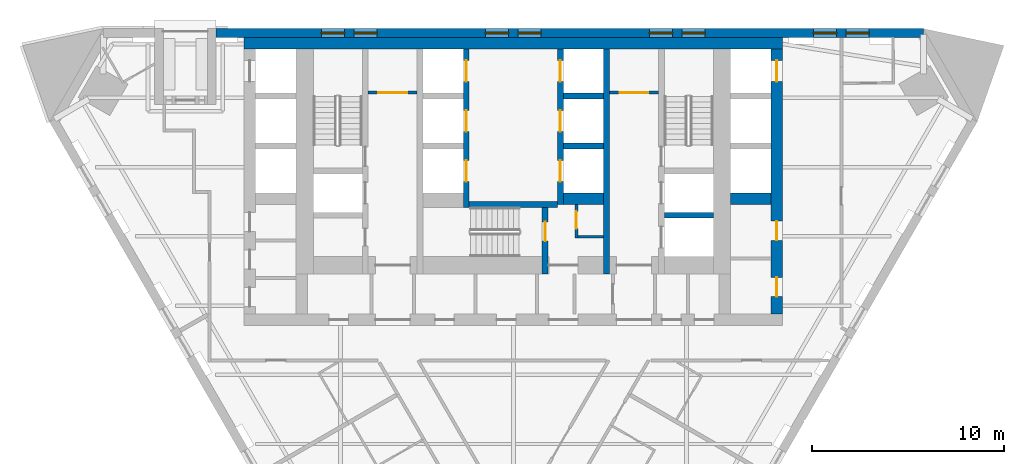
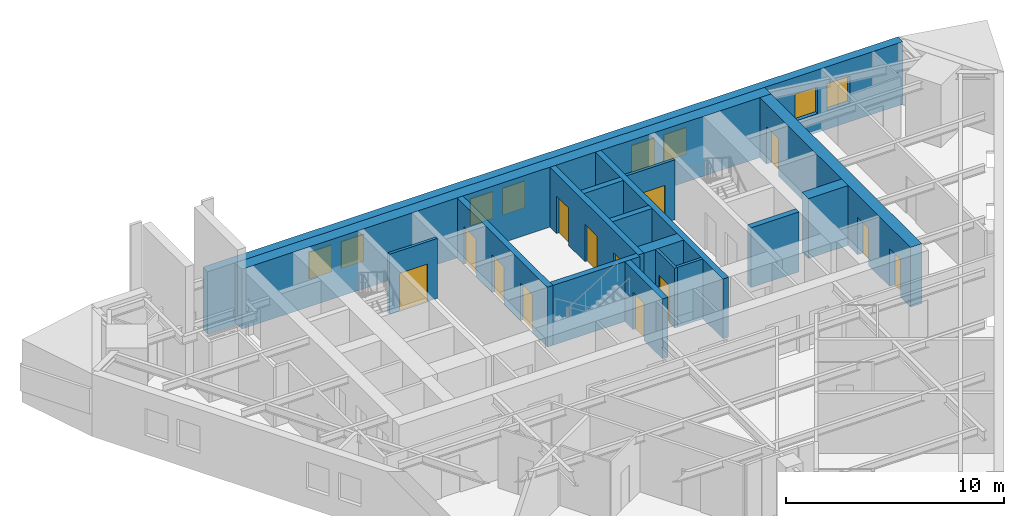
# One storey, part 6 of 9: 17 walls, 13 doors, 8 windows, 21 openings.
"""IFC4 building model written with IfcOpenShell, lengths in metres."""

from ifc_helpers import new_model, si_unit, direction, frame, frame_2d, origin, place, context, subcontext, project, spatial, polyline, rectangle, outline, extrude, material, layer, layer_set, type_object, element, fill, save


model = new_model("IFC4")

# Units and contexts
model_context = context("Model", 3, precision=1e-05, world=origin(), true_north=direction((0.0, 1.0)))
body_context = subcontext(model_context, "Body", "Model", "MODEL_VIEW")
ifc_project = project(units=[si_unit("LENGTHUNIT", "METRE"), si_unit("AREAUNIT", "SQUARE_METRE"), si_unit("VOLUMEUNIT", "CUBIC_METRE"), si_unit("PLANEANGLEUNIT", "RADIAN"), si_unit("MASSUNIT", "GRAM", prefix="KILO")], contexts=[model_context])

# Site, building, storey
site_placement = place(None, origin())
site = spatial("IfcSite", under=ifc_project, at=site_placement, CompositionType="ELEMENT")
building_placement = place(site_placement, origin())
building = spatial("IfcBuilding", under=site, at=building_placement, Name="Aloe Facet Convention Tower", CompositionType="ELEMENT")
storey_placement = place(building_placement, frame((0.0, 0.0, 92.300048828125)))
storey = spatial("IfcBuildingStorey", under=building, at=storey_placement, Name="L22", CompositionType="ELEMENT", Elevation=92.300048828125)

# Wall, opening, door
ifc_material_1 = material(Name="Concrete blockwork partition", Category="masonry")
ifc_layer_1 = layer(ifc_material_1, 0.14990234375)
ifc_layer_set_1 = layer_set([ifc_layer_1], Name="CR-W-PART150")
wall_type_1 = type_object("IfcWallType", Name="CR-W-PART150", PredefinedType="PARTITIONING", material=ifc_layer_set_1)
wall_1_placement = place(storey_placement, frame((72.449951171875, 131.675048828125, 0.0), z_axis=(0.0, 0.0, 1.0), x_axis=(1.0, 0.0, 0.0)))
wall_1 = element("IfcWall", 1, at=wall_1_placement, inside=storey, type_object=wall_type_1, Name="Core partition L22-015", PredefinedType="PARTITIONING", context=body_context, shape_type="SweptSolid", body=[
    extrude(rectangle(XDim=2.550048828125, YDim=0.14990234375, at=frame_2d((1.27490234375, 0.0))), origin(), (0.0, 0.0, 1.0), 3.349853515625),
])
opening_1_placement = place(wall_1_placement, frame((0.52490234375, 0.0, 0.0)))
opening_1 = element("IfcOpeningElement", 2, at=opening_1_placement, cuts=wall_1, Name="Opening L22-CD21", PredefinedType="OPENING", context=body_context, shape_type="SweptSolid", body=[
    extrude(rectangle(XDim=1.5, YDim=2.10009765625, at=frame_2d((0.75, 1.050048828125))), frame((0.0, 0.0849609375, 0.0), z_axis=(0.0, -1.0, 0.0), x_axis=(1.0, 0.0, 0.0)), (0.0, 0.0, 1.0), 0.169921875),
])
ifc_material_2 = material(Name="Steel fire-resisting door set FD60", Category="steel")
door_type_1 = type_object("IfcDoorType", Name="CR-D-REFUGE-1500-FD60-DD", OperationType="DOUBLE_DOOR_DOUBLE_SWING", PredefinedType="DOOR", material=ifc_material_2)
door_1_placement = place(opening_1_placement, origin())
door_1 = element("IfcDoor", 3, at=door_1_placement, inside=storey, type_object=door_type_1, Name="Core door L22-CD21", OperationType="DOUBLE_DOOR_DOUBLE_SWING", OverallHeight=2.10009765625, OverallWidth=1.5, PredefinedType="DOOR", context=body_context, shape_type="SweptSolid", body=[
    extrude(rectangle(XDim=1.5, YDim=2.10009765625, at=frame_2d((0.75, 1.050048828125))), frame((0.0, 0.02490234375, 0.0), z_axis=(0.0, -1.0, 0.0), x_axis=(1.0, 0.0, 0.0)), (0.0, 0.0, 1.0), 0.050048828125),
])
fill(opening_1, door_1)

wall_2_placement = place(storey_placement, frame((83.27490234375, 125.85009765625, 0.0), z_axis=(0.0, 0.0, 1.0), x_axis=(0.0, -1.0, 0.0)))
wall_2 = element("IfcWall", 4, at=wall_2_placement, inside=storey, type_object=wall_type_1, Name="Core partition L22-035", PredefinedType="PARTITIONING", context=body_context, shape_type="SweptSolid", body=[
    extrude(rectangle(XDim=1.75, YDim=0.14990234375, at=frame_2d((0.875, 0.0))), origin(), (0.0, 0.0, 1.0), 3.349853515625),
])
opening_2_placement = place(wall_2_placement, frame((0.35009765625, 0.0, 0.0)))
opening_2 = element("IfcOpeningElement", 5, at=opening_2_placement, cuts=wall_2, Name="Opening L22-CD19", PredefinedType="OPENING", context=body_context, shape_type="SweptSolid", body=[
    extrude(rectangle(XDim=0.89990234375, YDim=2.10009765625, at=frame_2d((0.449951171875, 1.050048828125))), frame((0.0, 0.0849609375, 0.0), z_axis=(0.0, -1.0, 0.0), x_axis=(1.0, 0.0, 0.0)), (0.0, 0.0, 1.0), 0.169921875),
])
ifc_material_3 = material(Name="Steel fire-resisting door set FD60", Category="steel")
door_type_2 = type_object("IfcDoorType", Name="CR-D-REFUGE-900-FD60-SRIGHT", OperationType="SINGLE_SWING_RIGHT", PredefinedType="DOOR", material=ifc_material_3)
door_2_placement = place(opening_2_placement, origin())
door_2 = element("IfcDoor", 6, at=door_2_placement, inside=storey, type_object=door_type_2, Name="Core door L22-CD19", OperationType="SINGLE_SWING_RIGHT", OverallHeight=2.10009765625, OverallWidth=0.89990234375, PredefinedType="DOOR", context=body_context, shape_type="SweptSolid", body=[
    extrude(rectangle(XDim=0.89990234375, YDim=2.10009765625, at=frame_2d((0.449951171875, 1.050048828125))), frame((0.0, 0.02490234375, 0.0), z_axis=(0.0, -1.0, 0.0), x_axis=(1.0, 0.0, 0.0)), (0.0, 0.0, 1.0), 0.050048828125),
])
fill(opening_2, door_2)

# Wall
wall_3_placement = place(storey_placement, frame((83.35009765625, 124.175048828125, 0.0), z_axis=(0.0, 0.0, 1.0), x_axis=(1.0, 0.0, 0.0)))
element("IfcWall", 7, at=wall_3_placement, inside=storey, type_object=wall_type_1, Name="Core partition L22-036", PredefinedType="PARTITIONING", context=body_context, shape_type="SweptSolid", body=[
    extrude(rectangle(XDim=1.349853515625, YDim=0.14990234375, at=frame_2d((0.6748046875, 0.0))), origin(), (0.0, 0.0, 1.0), 3.349853515625),
])

# Wall, opening, door
wall_4_placement = place(storey_placement, frame((85.0, 131.675048828125, 0.0), z_axis=(0.0, 0.0, 1.0), x_axis=(1.0, 0.0, 0.0)))
wall_4 = element("IfcWall", 8, at=wall_4_placement, inside=storey, type_object=wall_type_1, Name="Core partition L22-038", PredefinedType="PARTITIONING", context=body_context, shape_type="SweptSolid", body=[
    extrude(rectangle(XDim=2.550048828125, YDim=0.14990234375, at=frame_2d((1.27490234375, 0.0))), origin(), (0.0, 0.0, 1.0), 3.349853515625),
])
opening_3_placement = place(wall_4_placement, frame((0.52490234375, 0.0, 0.0)))
opening_3 = element("IfcOpeningElement", 9, at=opening_3_placement, cuts=wall_4, Name="Opening L22-CD20", PredefinedType="OPENING", context=body_context, shape_type="SweptSolid", body=[
    extrude(rectangle(XDim=1.5, YDim=2.10009765625, at=frame_2d((0.75, 1.050048828125))), frame((0.0, 0.0849609375, 0.0), z_axis=(0.0, -1.0, 0.0), x_axis=(1.0, 0.0, 0.0)), (0.0, 0.0, 1.0), 0.169921875),
])
door_3_placement = place(opening_3_placement, origin())
door_3 = element("IfcDoor", 10, at=door_3_placement, inside=storey, type_object=door_type_1, Name="Core door L22-CD20", OperationType="DOUBLE_DOOR_DOUBLE_SWING", OverallHeight=2.10009765625, OverallWidth=1.5, PredefinedType="DOOR", context=body_context, shape_type="SweptSolid", body=[
    extrude(rectangle(XDim=1.5, YDim=2.10009765625, at=frame_2d((0.75, 1.050048828125))), frame((0.0, 0.02490234375, 0.0), z_axis=(0.0, -1.0, 0.0), x_axis=(1.0, 0.0, 0.0)), (0.0, 0.0, 1.0), 0.050048828125),
])
fill(opening_3, door_3)

# Wall, openings, doors
ifc_material_4 = material(Name="Concrete C70/85", Category="concrete")
ifc_layer_2 = layer(ifc_material_4, 0.300048828125)
ifc_layer_set_2 = layer_set([ifc_layer_2], Name="CR-W-RC300-C7085")
wall_type_2 = type_object("IfcWallType", Name="CR-W-RC300-C7085", PredefinedType="SOLIDWALL", material=ifc_layer_set_2)
wall_5_placement = place(storey_placement, frame((77.550048828125, 133.949951171875, 0.0), z_axis=(0.0, 0.0, 1.0), x_axis=(0.0, -1.0, 0.0)))
wall_5 = element("IfcWall", 11, at=wall_5_placement, inside=storey, type_object=wall_type_2, Name="Core wall L22-024", PredefinedType="SOLIDWALL", context=body_context, shape_type="SweptSolid", body=[
    extrude(rectangle(XDim=8.25, YDim=0.300048828125, at=frame_2d((4.125, 0.0))), origin(), (0.0, 0.0, 1.0), 3.349853515625),
])
opening_4_placement = place(wall_5_placement, frame((0.60009765625, 0.0, 0.0)))
opening_4 = element("IfcOpeningElement", 12, at=opening_4_placement, cuts=wall_5, Name="Opening LD-A1-L22", PredefinedType="OPENING", context=body_context, shape_type="SweptSolid", body=[
    extrude(rectangle(XDim=1.10009765625, YDim=2.10009765625, at=frame_2d((0.550048828125, 1.050048828125))), frame((0.0, 0.16015625, 0.0), z_axis=(0.0, -1.0, 0.0), x_axis=(1.0, 0.0, 0.0)), (0.0, 0.0, 1.0), 0.320068359375),
])
opening_5_placement = place(wall_5_placement, frame((3.199951171875, 0.0, 0.0)))
opening_5 = element("IfcOpeningElement", 13, at=opening_5_placement, cuts=wall_5, Name="Opening LD-A2-L22", PredefinedType="OPENING", context=body_context, shape_type="SweptSolid", body=[
    extrude(rectangle(XDim=1.10009765625, YDim=2.10009765625, at=frame_2d((0.550048828125, 1.050048828125))), frame((0.0, 0.16015625, 0.0), z_axis=(0.0, -1.0, 0.0), x_axis=(1.0, 0.0, 0.0)), (0.0, 0.0, 1.0), 0.320068359375),
])
opening_6_placement = place(wall_5_placement, frame((5.800048828125, 0.0, 0.0)))
opening_6 = element("IfcOpeningElement", 14, at=opening_6_placement, cuts=wall_5, Name="Opening LD-A3-L22", PredefinedType="OPENING", context=body_context, shape_type="SweptSolid", body=[
    extrude(rectangle(XDim=1.10009765625, YDim=2.10009765625, at=frame_2d((0.550048828125, 1.050048828125))), frame((0.0, 0.16015625, 0.0), z_axis=(0.0, -1.0, 0.0), x_axis=(1.0, 0.0, 0.0)), (0.0, 0.0, 1.0), 0.320068359375),
])
ifc_material_5 = material(Name="Stainless steel sliding landing door", Category="steel")
door_type_3 = type_object("IfcDoorType", Name="CR-LD-1100-FD60-RIGHT", OperationType="SLIDING_TO_RIGHT", PredefinedType="DOOR", material=ifc_material_5)
door_4_placement = place(opening_4_placement, origin())
door_4 = element("IfcDoor", 15, at=door_4_placement, inside=storey, type_object=door_type_3, Name="Landing door A1 L22", OperationType="SLIDING_TO_RIGHT", OverallHeight=2.10009765625, OverallWidth=1.10009765625, PredefinedType="DOOR", context=body_context, shape_type="SweptSolid", body=[
    extrude(rectangle(XDim=1.10009765625, YDim=2.10009765625, at=frame_2d((0.550048828125, 1.050048828125))), frame((0.0, 0.02490234375, 0.0), z_axis=(0.0, -1.0, 0.0), x_axis=(1.0, 0.0, 0.0)), (0.0, 0.0, 1.0), 0.050048828125),
])
fill(opening_4, door_4)
door_5_placement = place(opening_5_placement, origin())
door_5 = element("IfcDoor", 16, at=door_5_placement, inside=storey, type_object=door_type_3, Name="Landing door A2 L22", OperationType="SLIDING_TO_RIGHT", OverallHeight=2.10009765625, OverallWidth=1.10009765625, PredefinedType="DOOR", context=body_context, shape_type="SweptSolid", body=[
    extrude(rectangle(XDim=1.10009765625, YDim=2.10009765625, at=frame_2d((0.550048828125, 1.050048828125))), frame((0.0, 0.02490234375, 0.0), z_axis=(0.0, -1.0, 0.0), x_axis=(1.0, 0.0, 0.0)), (0.0, 0.0, 1.0), 0.050048828125),
])
fill(opening_5, door_5)
door_6_placement = place(opening_6_placement, origin())
door_6 = element("IfcDoor", 17, at=door_6_placement, inside=storey, type_object=door_type_3, Name="Landing door A3 L22", OperationType="SLIDING_TO_RIGHT", OverallHeight=2.10009765625, OverallWidth=1.10009765625, PredefinedType="DOOR", context=body_context, shape_type="SweptSolid", body=[
    extrude(rectangle(XDim=1.10009765625, YDim=2.10009765625, at=frame_2d((0.550048828125, 1.050048828125))), frame((0.0, 0.02490234375, 0.0), z_axis=(0.0, -1.0, 0.0), x_axis=(1.0, 0.0, 0.0)), (0.0, 0.0, 1.0), 0.050048828125),
])
fill(opening_6, door_6)

# Wall
wall_6_placement = place(storey_placement, frame((77.699951171875, 125.85009765625, 0.0), z_axis=(0.0, 0.0, 1.0), x_axis=(1.0, 0.0, 0.0)))
element("IfcWall", 18, at=wall_6_placement, inside=storey, type_object=wall_type_2, Name="Core wall L22-025", PredefinedType="SOLIDWALL", context=body_context, shape_type="SweptSolid", body=[
    extrude(rectangle(XDim=4.60009765625, YDim=0.300048828125, at=frame_2d((2.300048828125, 0.0))), origin(), (0.0, 0.0, 1.0), 3.349853515625),
])

# Wall, opening, door
wall_7_placement = place(storey_placement, frame((81.64990234375, 125.699951171875, 0.0), z_axis=(0.0, 0.0, 1.0), x_axis=(0.0, -1.0, 0.0)))
wall_7 = element("IfcWall", 19, at=wall_7_placement, inside=storey, type_object=wall_type_2, Name="Core wall L22-028", PredefinedType="SOLIDWALL", context=body_context, shape_type="SweptSolid", body=[
    extrude(rectangle(XDim=3.449951171875, YDim=0.300048828125, at=frame_2d((1.72509765625, 0.0))), origin(), (0.0, 0.0, 1.0), 3.349853515625),
])
opening_7_placement = place(wall_7_placement, frame((0.75, 0.0, 0.0)))
opening_7 = element("IfcOpeningElement", 20, at=opening_7_placement, cuts=wall_7, Name="Opening L22-CD31", PredefinedType="OPENING", context=body_context, shape_type="SweptSolid", body=[
    extrude(rectangle(XDim=1.0, YDim=2.10009765625, at=frame_2d((0.5, 1.050048828125))), frame((0.0, 0.16015625, 0.0), z_axis=(0.0, -1.0, 0.0), x_axis=(1.0, 0.0, 0.0)), (0.0, 0.0, 1.0), 0.320068359375),
])
ifc_material_6 = material(Name="Steel fire-resisting door set FD120", Category="steel")
door_type_4 = type_object("IfcDoorType", Name="CR-D-STAIR-1000-FD120-SLEFT", OperationType="SINGLE_SWING_LEFT", PredefinedType="DOOR", material=ifc_material_6)
door_7_placement = place(opening_7_placement, origin())
door_7 = element("IfcDoor", 21, at=door_7_placement, inside=storey, type_object=door_type_4, Name="Core door L22-CD31", OperationType="SINGLE_SWING_LEFT", OverallHeight=2.10009765625, OverallWidth=1.0, PredefinedType="DOOR", context=body_context, shape_type="SweptSolid", body=[
    extrude(rectangle(XDim=1.0, YDim=2.10009765625, at=frame_2d((0.5, 1.050048828125))), frame((0.0, 0.02490234375, 0.0), z_axis=(0.0, -1.0, 0.0), x_axis=(1.0, 0.0, 0.0)), (0.0, 0.0, 1.0), 0.050048828125),
])
fill(opening_7, door_7)

# Wall, openings, doors
wall_8_placement = place(storey_placement, frame((82.449951171875, 133.949951171875, 0.0), z_axis=(0.0, 0.0, 1.0), x_axis=(0.0, -1.0, 0.0)))
wall_8 = element("IfcWall", 22, at=wall_8_placement, inside=storey, type_object=wall_type_2, Name="Core wall L22-030", PredefinedType="SOLIDWALL", context=body_context, shape_type="SweptSolid", body=[
    extrude(rectangle(XDim=8.099853515625, YDim=0.300048828125, at=frame_2d((4.0498046875, 0.0))), origin(), (0.0, 0.0, 1.0), 3.349853515625),
])
opening_8_placement = place(wall_8_placement, frame((0.60009765625, 0.0, 0.0)))
opening_8 = element("IfcOpeningElement", 23, at=opening_8_placement, cuts=wall_8, Name="Opening LD-A4-L22", PredefinedType="OPENING", context=body_context, shape_type="SweptSolid", body=[
    extrude(rectangle(XDim=1.10009765625, YDim=2.10009765625, at=frame_2d((0.550048828125, 1.050048828125))), frame((0.0, 0.16015625, 0.0), z_axis=(0.0, -1.0, 0.0), x_axis=(1.0, 0.0, 0.0)), (0.0, 0.0, 1.0), 0.320068359375),
])
opening_9_placement = place(wall_8_placement, frame((3.199951171875, 0.0, 0.0)))
opening_9 = element("IfcOpeningElement", 24, at=opening_9_placement, cuts=wall_8, Name="Opening LD-A5-L22", PredefinedType="OPENING", context=body_context, shape_type="SweptSolid", body=[
    extrude(rectangle(XDim=1.10009765625, YDim=2.10009765625, at=frame_2d((0.550048828125, 1.050048828125))), frame((0.0, 0.16015625, 0.0), z_axis=(0.0, -1.0, 0.0), x_axis=(1.0, 0.0, 0.0)), (0.0, 0.0, 1.0), 0.320068359375),
])
opening_10_placement = place(wall_8_placement, frame((5.800048828125, 0.0, 0.0)))
opening_10 = element("IfcOpeningElement", 25, at=opening_10_placement, cuts=wall_8, Name="Opening LD-A6-L22", PredefinedType="OPENING", context=body_context, shape_type="SweptSolid", body=[
    extrude(rectangle(XDim=1.10009765625, YDim=2.10009765625, at=frame_2d((0.550048828125, 1.050048828125))), frame((0.0, 0.16015625, 0.0), z_axis=(0.0, -1.0, 0.0), x_axis=(1.0, 0.0, 0.0)), (0.0, 0.0, 1.0), 0.320068359375),
])
ifc_material_7 = material(Name="Stainless steel sliding landing door", Category="steel")
door_type_5 = type_object("IfcDoorType", Name="CR-LD-1100-FD60-_LEFT", OperationType="SLIDING_TO_LEFT", PredefinedType="DOOR", material=ifc_material_7)
door_8_placement = place(opening_8_placement, origin())
door_8 = element("IfcDoor", 26, at=door_8_placement, inside=storey, type_object=door_type_5, Name="Landing door A4 L22", OperationType="SLIDING_TO_LEFT", OverallHeight=2.10009765625, OverallWidth=1.10009765625, PredefinedType="DOOR", context=body_context, shape_type="SweptSolid", body=[
    extrude(rectangle(XDim=1.10009765625, YDim=2.10009765625, at=frame_2d((0.550048828125, 1.050048828125))), frame((0.0, 0.02490234375, 0.0), z_axis=(0.0, -1.0, 0.0), x_axis=(1.0, 0.0, 0.0)), (0.0, 0.0, 1.0), 0.050048828125),
])
fill(opening_8, door_8)
door_9_placement = place(opening_9_placement, origin())
door_9 = element("IfcDoor", 27, at=door_9_placement, inside=storey, type_object=door_type_5, Name="Landing door A5 L22", OperationType="SLIDING_TO_LEFT", OverallHeight=2.10009765625, OverallWidth=1.10009765625, PredefinedType="DOOR", context=body_context, shape_type="SweptSolid", body=[
    extrude(rectangle(XDim=1.10009765625, YDim=2.10009765625, at=frame_2d((0.550048828125, 1.050048828125))), frame((0.0, 0.02490234375, 0.0), z_axis=(0.0, -1.0, 0.0), x_axis=(1.0, 0.0, 0.0)), (0.0, 0.0, 1.0), 0.050048828125),
])
fill(opening_9, door_9)
door_10_placement = place(opening_10_placement, origin())
door_10 = element("IfcDoor", 28, at=door_10_placement, inside=storey, type_object=door_type_5, Name="Landing door A6 L22", OperationType="SLIDING_TO_LEFT", OverallHeight=2.10009765625, OverallWidth=1.10009765625, PredefinedType="DOOR", context=body_context, shape_type="SweptSolid", body=[
    extrude(rectangle(XDim=1.10009765625, YDim=2.10009765625, at=frame_2d((0.550048828125, 1.050048828125))), frame((0.0, 0.02490234375, 0.0), z_axis=(0.0, -1.0, 0.0), x_axis=(1.0, 0.0, 0.0)), (0.0, 0.0, 1.0), 0.050048828125),
])
fill(opening_10, door_10)

# Walls
for number, where, z_axis, x_axis, name in (
    (29, (82.60009765625, 131.5, 0.0), (0.0, 0.0, 1.0), (1.0, 0.0, 0.0), "Core wall L22-031"),
    (30, (82.60009765625, 128.89990234375, 0.0), (0.0, 0.0, 1.0), (1.0, 0.0, 0.0), "Core wall L22-032"),
):
    element("IfcWall", number, at=place(storey_placement, frame(where, z_axis=z_axis, x_axis=x_axis)), inside=storey, type_object=wall_type_2, Name=name, PredefinedType="SOLIDWALL", context=body_context, shape_type="SweptSolid", body=[
        extrude(rectangle(XDim=2.099853515625, YDim=0.300048828125, at=frame_2d((1.0498046875, 0.0))), origin(), (0.0, 0.0, 1.0), 3.349853515625),
    ])
wall_9_placement = place(storey_placement, frame((84.85009765625, 133.949951171875, 0.0), z_axis=(0.0, 0.0, 1.0), x_axis=(0.0, -1.0, 0.0)))
element("IfcWall", 31, at=wall_9_placement, inside=storey, type_object=wall_type_2, Name="Core wall L22-037", PredefinedType="SOLIDWALL", context=body_context, shape_type="SweptSolid", body=[
    extrude(rectangle(XDim=11.699951171875, YDim=0.300048828125, at=frame_2d((5.85009765625, 0.0))), origin(), (0.0, 0.0, 1.0), 3.349853515625),
])
wall_10_placement = place(storey_placement, frame((87.85009765625, 125.300048828125, 0.0), z_axis=(0.0, 0.0, 1.0), x_axis=(1.0, 0.0, 0.0)))
element("IfcWall", 32, at=wall_10_placement, inside=storey, type_object=wall_type_2, Name="Core wall L22-044", PredefinedType="SOLIDWALL", context=body_context, shape_type="SweptSolid", body=[
    extrude(rectangle(XDim=2.5498046875, YDim=0.300048828125, at=frame_2d((1.27490234375, 0.0))), origin(), (0.0, 0.0, 1.0), 3.349853515625),
])
ifc_material_8 = material(Name="Concrete C70/85", Category="concrete")
ifc_layer_3 = layer(ifc_material_8, 0.60009765625)
ifc_layer_set_3 = layer_set([ifc_layer_3], Name="CR-W-RC600-C7085")
wall_type_3 = type_object("IfcWallType", Name="CR-W-RC600-C7085", PredefinedType="SOLIDWALL", material=ifc_layer_set_3)
wall_11_placement = place(storey_placement, frame((66.0, 134.25, 0.0), z_axis=(0.0, 0.0, 1.0), x_axis=(1.0, 0.0, 0.0)))
element("IfcWall", 33, at=wall_11_placement, inside=storey, type_object=wall_type_3, Name="Core wall L22-001", PredefinedType="SOLIDWALL", context=body_context, shape_type="SweptSolid", body=[
    extrude(rectangle(XDim=28.0, YDim=0.60009765625, at=frame_2d((14.0, 0.0))), origin(), (0.0, 0.0, 1.0), 3.349853515625),
])
for number, where, z_axis, x_axis, name in (
    (34, (82.60009765625, 126.14990234375, 0.0), (0.0, 0.0, 1.0), (1.0, 0.0, 0.0), "Core wall L22-033"),
    (35, (91.300048828125, 126.14990234375, 0.0), (0.0, 0.0, 1.0), (1.0, 0.0, 0.0), "Core wall L22-051"),
):
    element("IfcWall", number, at=place(storey_placement, frame(where, z_axis=z_axis, x_axis=x_axis)), inside=storey, type_object=wall_type_3, Name=name, PredefinedType="SOLIDWALL", context=body_context, shape_type="SweptSolid", body=[
        extrude(rectangle(XDim=2.099853515625, YDim=0.60009765625, at=frame_2d((1.0498046875, 0.0))), origin(), (0.0, 0.0, 1.0), 3.349853515625),
    ])

# Wall, openings, doors
wall_12_placement = place(storey_placement, frame((93.699951171875, 133.949951171875, 0.0), z_axis=(0.0, 0.0, 1.0), x_axis=(0.0, -1.0, 0.0)))
wall_12 = element("IfcWall", 36, at=wall_12_placement, inside=storey, type_object=wall_type_3, Name="Core wall L22-053", PredefinedType="SOLIDWALL", context=body_context, shape_type="SweptSolid", body=[
    extrude(rectangle(XDim=13.800048828125, YDim=0.60009765625, at=frame_2d((6.89990234375, 0.0))), origin(), (0.0, 0.0, 1.0), 3.349853515625),
])
opening_11_placement = place(wall_12_placement, frame((0.60009765625, 0.0, 0.0)))
opening_11 = element("IfcOpeningElement", 37, at=opening_11_placement, cuts=wall_12, Name="Opening LD-A8-L22", PredefinedType="OPENING", context=body_context, shape_type="SweptSolid", body=[
    extrude(rectangle(XDim=1.10009765625, YDim=2.10009765625, at=frame_2d((0.550048828125, 1.050048828125))), frame((0.0, 0.31005859375, 0.0), z_axis=(0.0, -1.0, 0.0), x_axis=(1.0, 0.0, 0.0)), (0.0, 0.0, 1.0), 0.6201171875),
])
opening_12_placement = place(wall_12_placement, frame((8.963134765625, 0.0, 0.0)))
opening_12 = element("IfcOpeningElement", 38, at=opening_12_placement, cuts=wall_12, Name="Opening L22-CD09", PredefinedType="OPENING", context=body_context, shape_type="SweptSolid", body=[
    extrude(rectangle(XDim=1.0, YDim=2.10009765625, at=frame_2d((0.5, 1.050048828125))), frame((0.0, 0.31005859375, 0.0), z_axis=(0.0, -1.0, 0.0), x_axis=(1.0, 0.0, 0.0)), (0.0, 0.0, 1.0), 0.6201171875),
])
opening_13_placement = place(wall_12_placement, frame((11.88818359375, 0.0, 0.0)))
opening_13 = element("IfcOpeningElement", 39, at=opening_13_placement, cuts=wall_12, Name="Opening L22-CD10", PredefinedType="OPENING", context=body_context, shape_type="SweptSolid", body=[
    extrude(rectangle(XDim=1.0, YDim=2.10009765625, at=frame_2d((0.5, 1.050048828125))), frame((0.0, 0.31005859375, 0.0), z_axis=(0.0, -1.0, 0.0), x_axis=(1.0, 0.0, 0.0)), (0.0, 0.0, 1.0), 0.6201171875),
])
ifc_material_9 = material(Name="Steel fire-resisting door set FD60", Category="steel")
door_type_6 = type_object("IfcDoorType", Name="CR-D-ROOM-1000-FD60-SLEFT", OperationType="SINGLE_SWING_LEFT", PredefinedType="DOOR", material=ifc_material_9)
door_11_placement = place(opening_12_placement, origin())
door_11 = element("IfcDoor", 40, at=door_11_placement, inside=storey, type_object=door_type_6, Name="Core door L22-CD09", OperationType="SINGLE_SWING_LEFT", OverallHeight=2.10009765625, OverallWidth=1.0, PredefinedType="DOOR", context=body_context, shape_type="SweptSolid", body=[
    extrude(rectangle(XDim=1.0, YDim=2.10009765625, at=frame_2d((0.5, 1.050048828125))), frame((0.0, 0.02490234375, 0.0), z_axis=(0.0, -1.0, 0.0), x_axis=(1.0, 0.0, 0.0)), (0.0, 0.0, 1.0), 0.050048828125),
])
fill(opening_12, door_11)
door_12_placement = place(opening_13_placement, origin())
door_12 = element("IfcDoor", 41, at=door_12_placement, inside=storey, type_object=door_type_6, Name="Core door L22-CD10", OperationType="SINGLE_SWING_LEFT", OverallHeight=2.10009765625, OverallWidth=1.0, PredefinedType="DOOR", context=body_context, shape_type="SweptSolid", body=[
    extrude(rectangle(XDim=1.0, YDim=2.10009765625, at=frame_2d((0.5, 1.050048828125))), frame((0.0, 0.02490234375, 0.0), z_axis=(0.0, -1.0, 0.0), x_axis=(1.0, 0.0, 0.0)), (0.0, 0.0, 1.0), 0.050048828125),
])
fill(opening_13, door_12)
door_13_placement = place(opening_11_placement, origin())
door_13 = element("IfcDoor", 42, at=door_13_placement, inside=storey, type_object=door_type_5, Name="Landing door A8 L22", OperationType="SLIDING_TO_LEFT", OverallHeight=2.10009765625, OverallWidth=1.10009765625, PredefinedType="DOOR", context=body_context, shape_type="SweptSolid", body=[
    extrude(rectangle(XDim=1.10009765625, YDim=2.10009765625, at=frame_2d((0.550048828125, 1.050048828125))), frame((0.0, 0.02490234375, 0.0), z_axis=(0.0, -1.0, 0.0), x_axis=(1.0, 0.0, 0.0)), (0.0, 0.0, 1.0), 0.050048828125),
])
fill(opening_11, door_13)

# Wall, openings, windows
ifc_material_10 = material(Name="Precast concrete C40/50", Category="concrete")
ifc_layer_4 = layer(ifc_material_10, 0.449951171875)
ifc_layer_set_4 = layer_set([ifc_layer_4], Name="EV-WALL-STONE")
wall_type_4 = type_object("IfcWallType", Name="EV-WALL-STONE", PredefinedType="SOLIDWALL", material=ifc_layer_set_4)
wall_13_placement = place(storey_placement, frame((101.321533203125, 134.77490234375, -0.150146484375), z_axis=(0.0, 0.0, 1.0), x_axis=(-1.0, 0.0, 0.0)))
wall_13 = element("IfcWall", 43, at=wall_13_placement, inside=storey, type_object=wall_type_4, Name="EW-L22-N01", PredefinedType="SOLIDWALL", context=body_context, shape_type="SweptSolid", body=[
    extrude(outline(polyline([(0.0, 0.0), (0.0, 3.5), (36.77880859375, 3.5), (36.77880859375, 0.0), (0.0, 0.0)])), frame((0.0, 0.22509765625, 0.0), z_axis=(0.0, -1.0, 0.0), x_axis=(1.0, 0.0, 0.0)), (0.0, 0.0, 1.0), 0.449951171875),
])
opening_14_placement = place(wall_13_placement, frame((2.814208984375, 0.0, 1.050048828125)))
opening_14 = element("IfcOpeningElement", 44, at=opening_14_placement, cuts=wall_13, Name="Opening W-L22-N01", PredefinedType="OPENING", context=body_context, shape_type="SweptSolid", body=[
    extrude(rectangle(XDim=1.199951171875, YDim=1.5, at=frame_2d((0.60009765625, 0.75))), frame((0.0, 0.23486328125, 0.0), z_axis=(0.0, -1.0, 0.0), x_axis=(1.0, 0.0, 0.0)), (0.0, 0.0, 1.0), 0.469970703125),
])
opening_15_placement = place(wall_13_placement, frame((4.514404296875, 0.0, 1.050048828125)))
opening_15 = element("IfcOpeningElement", 45, at=opening_15_placement, cuts=wall_13, Name="Opening W-L22-N02", PredefinedType="OPENING", context=body_context, shape_type="SweptSolid", body=[
    extrude(rectangle(XDim=1.199951171875, YDim=1.5, at=frame_2d((0.60009765625, 0.75))), frame((0.0, 0.23486328125, 0.0), z_axis=(0.0, -1.0, 0.0), x_axis=(1.0, 0.0, 0.0)), (0.0, 0.0, 1.0), 0.469970703125),
])
opening_16_placement = place(wall_13_placement, frame((11.343017578125, 0.0, 1.050048828125)))
opening_16 = element("IfcOpeningElement", 46, at=opening_16_placement, cuts=wall_13, Name="Opening W-L22-N03", PredefinedType="OPENING", context=body_context, shape_type="SweptSolid", body=[
    extrude(rectangle(XDim=1.199951171875, YDim=1.5, at=frame_2d((0.60009765625, 0.75))), frame((0.0, 0.23486328125, 0.0), z_axis=(0.0, -1.0, 0.0), x_axis=(1.0, 0.0, 0.0)), (0.0, 0.0, 1.0), 0.469970703125),
])
opening_17_placement = place(wall_13_placement, frame((13.04296875, 0.0, 1.050048828125)))
opening_17 = element("IfcOpeningElement", 47, at=opening_17_placement, cuts=wall_13, Name="Opening W-L22-N04", PredefinedType="OPENING", context=body_context, shape_type="SweptSolid", body=[
    extrude(rectangle(XDim=1.199951171875, YDim=1.5, at=frame_2d((0.60009765625, 0.75))), frame((0.0, 0.23486328125, 0.0), z_axis=(0.0, -1.0, 0.0), x_axis=(1.0, 0.0, 0.0)), (0.0, 0.0, 1.0), 0.469970703125),
])
opening_18_placement = place(wall_13_placement, frame((19.87158203125, 0.0, 1.050048828125)))
opening_18 = element("IfcOpeningElement", 48, at=opening_18_placement, cuts=wall_13, Name="Opening W-L22-N05", PredefinedType="OPENING", context=body_context, shape_type="SweptSolid", body=[
    extrude(rectangle(XDim=1.199951171875, YDim=1.5, at=frame_2d((0.60009765625, 0.75))), frame((0.0, 0.23486328125, 0.0), z_axis=(0.0, -1.0, 0.0), x_axis=(1.0, 0.0, 0.0)), (0.0, 0.0, 1.0), 0.469970703125),
])
opening_19_placement = place(wall_13_placement, frame((21.571533203125, 0.0, 1.050048828125)))
opening_19 = element("IfcOpeningElement", 49, at=opening_19_placement, cuts=wall_13, Name="Opening W-L22-N06", PredefinedType="OPENING", context=body_context, shape_type="SweptSolid", body=[
    extrude(rectangle(XDim=1.199951171875, YDim=1.5, at=frame_2d((0.60009765625, 0.75))), frame((0.0, 0.23486328125, 0.0), z_axis=(0.0, -1.0, 0.0), x_axis=(1.0, 0.0, 0.0)), (0.0, 0.0, 1.0), 0.469970703125),
])
opening_20_placement = place(wall_13_placement, frame((28.400146484375, 0.0, 1.050048828125)))
opening_20 = element("IfcOpeningElement", 50, at=opening_20_placement, cuts=wall_13, Name="Opening W-L22-N07", PredefinedType="OPENING", context=body_context, shape_type="SweptSolid", body=[
    extrude(rectangle(XDim=1.199951171875, YDim=1.5, at=frame_2d((0.60009765625, 0.75))), frame((0.0, 0.23486328125, 0.0), z_axis=(0.0, -1.0, 0.0), x_axis=(1.0, 0.0, 0.0)), (0.0, 0.0, 1.0), 0.469970703125),
])
opening_21_placement = place(wall_13_placement, frame((30.10009765625, 0.0, 1.050048828125)))
opening_21 = element("IfcOpeningElement", 51, at=opening_21_placement, cuts=wall_13, Name="Opening W-L22-N08", PredefinedType="OPENING", context=body_context, shape_type="SweptSolid", body=[
    extrude(rectangle(XDim=1.199951171875, YDim=1.5, at=frame_2d((0.60009765625, 0.75))), frame((0.0, 0.23486328125, 0.0), z_axis=(0.0, -1.0, 0.0), x_axis=(1.0, 0.0, 0.0)), (0.0, 0.0, 1.0), 0.469970703125),
])
ifc_material_11 = material(Name="Aluminium frame, clear double glazing", Category="aluminium")
window_type = type_object("IfcWindowType", Name="EV-WIN-H12", PartitioningType="SINGLE_PANEL", PredefinedType="WINDOW", material=ifc_material_11)
window_1_placement = place(opening_14_placement, origin())
window_1 = element("IfcWindow", 52, at=window_1_placement, inside=storey, type_object=window_type, Name="W-L22-N01", OverallHeight=1.5, OverallWidth=1.199951171875, PartitioningType="SINGLE_PANEL", PredefinedType="WINDOW", context=body_context, shape_type="SweptSolid", body=[
    extrude(rectangle(XDim=1.199951171875, YDim=1.5, at=frame_2d((0.60009765625, 0.75))), frame((0.0, 0.030029296875, 0.0), z_axis=(0.0, -1.0, 0.0), x_axis=(1.0, 0.0, 0.0)), (0.0, 0.0, 1.0), 0.06005859375),
])
fill(opening_14, window_1)
window_2_placement = place(opening_15_placement, origin())
window_2 = element("IfcWindow", 53, at=window_2_placement, inside=storey, type_object=window_type, Name="W-L22-N02", OverallHeight=1.5, OverallWidth=1.199951171875, PartitioningType="SINGLE_PANEL", PredefinedType="WINDOW", context=body_context, shape_type="SweptSolid", body=[
    extrude(rectangle(XDim=1.199951171875, YDim=1.5, at=frame_2d((0.60009765625, 0.75))), frame((0.0, 0.030029296875, 0.0), z_axis=(0.0, -1.0, 0.0), x_axis=(1.0, 0.0, 0.0)), (0.0, 0.0, 1.0), 0.06005859375),
])
fill(opening_15, window_2)
window_3_placement = place(opening_16_placement, origin())
window_3 = element("IfcWindow", 54, at=window_3_placement, inside=storey, type_object=window_type, Name="W-L22-N03", OverallHeight=1.5, OverallWidth=1.199951171875, PartitioningType="SINGLE_PANEL", PredefinedType="WINDOW", context=body_context, shape_type="SweptSolid", body=[
    extrude(rectangle(XDim=1.199951171875, YDim=1.5, at=frame_2d((0.60009765625, 0.75))), frame((0.0, 0.030029296875, 0.0), z_axis=(0.0, -1.0, 0.0), x_axis=(1.0, 0.0, 0.0)), (0.0, 0.0, 1.0), 0.06005859375),
])
fill(opening_16, window_3)
window_4_placement = place(opening_17_placement, origin())
window_4 = element("IfcWindow", 55, at=window_4_placement, inside=storey, type_object=window_type, Name="W-L22-N04", OverallHeight=1.5, OverallWidth=1.199951171875, PartitioningType="SINGLE_PANEL", PredefinedType="WINDOW", context=body_context, shape_type="SweptSolid", body=[
    extrude(rectangle(XDim=1.199951171875, YDim=1.5, at=frame_2d((0.60009765625, 0.75))), frame((0.0, 0.030029296875, 0.0), z_axis=(0.0, -1.0, 0.0), x_axis=(1.0, 0.0, 0.0)), (0.0, 0.0, 1.0), 0.06005859375),
])
fill(opening_17, window_4)
window_5_placement = place(opening_18_placement, origin())
window_5 = element("IfcWindow", 56, at=window_5_placement, inside=storey, type_object=window_type, Name="W-L22-N05", OverallHeight=1.5, OverallWidth=1.199951171875, PartitioningType="SINGLE_PANEL", PredefinedType="WINDOW", context=body_context, shape_type="SweptSolid", body=[
    extrude(rectangle(XDim=1.199951171875, YDim=1.5, at=frame_2d((0.60009765625, 0.75))), frame((0.0, 0.030029296875, 0.0), z_axis=(0.0, -1.0, 0.0), x_axis=(1.0, 0.0, 0.0)), (0.0, 0.0, 1.0), 0.06005859375),
])
fill(opening_18, window_5)
window_6_placement = place(opening_19_placement, origin())
window_6 = element("IfcWindow", 57, at=window_6_placement, inside=storey, type_object=window_type, Name="W-L22-N06", OverallHeight=1.5, OverallWidth=1.199951171875, PartitioningType="SINGLE_PANEL", PredefinedType="WINDOW", context=body_context, shape_type="SweptSolid", body=[
    extrude(rectangle(XDim=1.199951171875, YDim=1.5, at=frame_2d((0.60009765625, 0.75))), frame((0.0, 0.030029296875, 0.0), z_axis=(0.0, -1.0, 0.0), x_axis=(1.0, 0.0, 0.0)), (0.0, 0.0, 1.0), 0.06005859375),
])
fill(opening_19, window_6)
window_7_placement = place(opening_20_placement, origin())
window_7 = element("IfcWindow", 58, at=window_7_placement, inside=storey, type_object=window_type, Name="W-L22-N07", OverallHeight=1.5, OverallWidth=1.199951171875, PartitioningType="SINGLE_PANEL", PredefinedType="WINDOW", context=body_context, shape_type="SweptSolid", body=[
    extrude(rectangle(XDim=1.199951171875, YDim=1.5, at=frame_2d((0.60009765625, 0.75))), frame((0.0, 0.030029296875, 0.0), z_axis=(0.0, -1.0, 0.0), x_axis=(1.0, 0.0, 0.0)), (0.0, 0.0, 1.0), 0.06005859375),
])
fill(opening_20, window_7)
window_8_placement = place(opening_21_placement, origin())
window_8 = element("IfcWindow", 59, at=window_8_placement, inside=storey, type_object=window_type, Name="W-L22-N08", OverallHeight=1.5, OverallWidth=1.199951171875, PartitioningType="SINGLE_PANEL", PredefinedType="WINDOW", context=body_context, shape_type="SweptSolid", body=[
    extrude(rectangle(XDim=1.199951171875, YDim=1.5, at=frame_2d((0.60009765625, 0.75))), frame((0.0, 0.030029296875, 0.0), z_axis=(0.0, -1.0, 0.0), x_axis=(1.0, 0.0, 0.0)), (0.0, 0.0, 1.0), 0.06005859375),
])
fill(opening_21, window_8)

save(model, "model.ifc")
